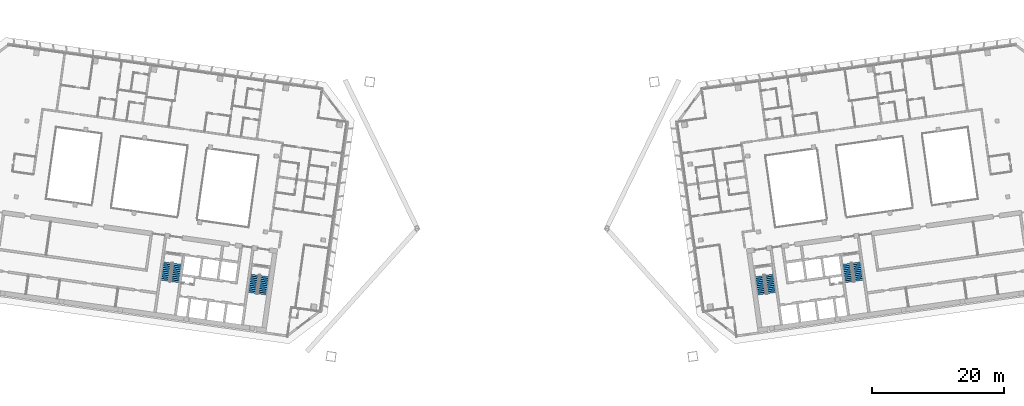
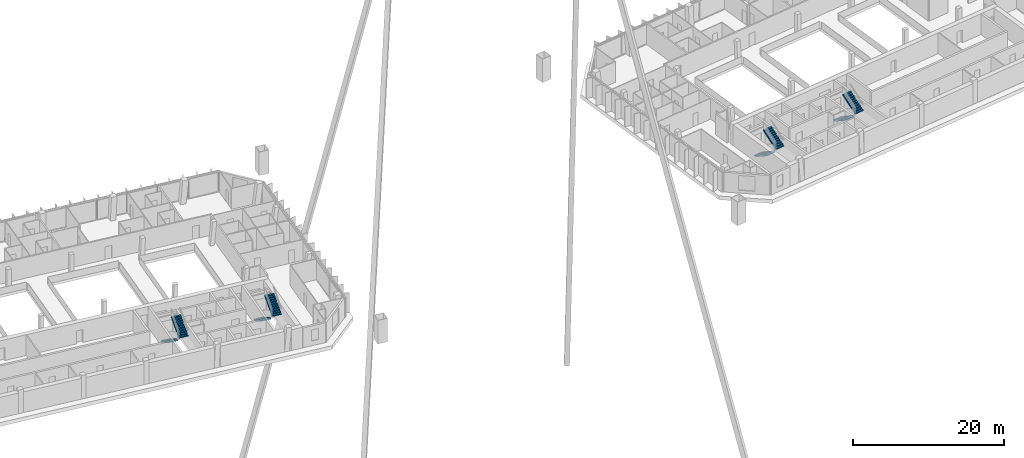
# One storey, part 24 of 26: 8 stair flights, 4 elements without a shape of their own.
"""IFC4 building model written with IfcOpenShell, lengths in metres."""

import ifcopenshell
import ifcopenshell.guid

model = None  # the IFC model being written
_history = None  # IfcOwnerHistory: only IFC2X3 demands one
_inside = {}  # id of a spatial element -> (the spatial element, [elements in it])
_under = {}  # id of a project, library or spatial element -> (it, [spatial elements below it])
_declared = {}  # id of a project -> (the project, [libraries it declares])
_typed = {}  # id of a type object -> (the type object, [elements of that type])
_made_of = {}  # id of a material, layer set ... -> (it, [elements and type objects made of it])


def new_model(schema):
    """Start an empty IFC model of exactly this schema.

    Asked for "IFC4X3", IfcOpenShell would pick the latest addendum, in which some entities
    have other attributes; the version numbers below select the first issue.
    IFC2X3 requires an IfcOwnerHistory on every rooted entity: one is made here for all.
    """
    global model, _history
    if schema == "IFC4X3":
        model = ifcopenshell.file(schema_version=(4, 3, 0, 0))
    else:
        model = ifcopenshell.file(schema=schema)
    _inside.clear()
    _under.clear()
    _declared.clear()
    _typed.clear()
    _made_of.clear()
    _history = None
    if model.schema == "IFC2X3":
        org = make("IfcOrganization", Name="unknown")
        user = make(
            "IfcPersonAndOrganization",
            ThePerson=make("IfcPerson", FamilyName="unknown"),
            TheOrganization=org,
        )
        app = make(
            "IfcApplication",
            ApplicationDeveloper=org,
            Version="unknown",
            ApplicationFullName="unknown",
            ApplicationIdentifier="unknown",
        )
        _history = make(
            "IfcOwnerHistory",
            OwningUser=user,
            OwningApplication=app,
            ChangeAction="ADDED",
            CreationDate=0,
        )
    return model


def make(cls, **values):
    """One entity of the class cls with the attributes given. An attribute that is None is left unset."""
    return model.create_entity(
        cls, **{name: value for name, value in values.items() if value is not None}
    )


def rooted(cls, **values):
    """An entity with a GlobalId (a new one), such as an element, a storey or a relation."""
    return make(cls, GlobalId=ifcopenshell.guid.new(), OwnerHistory=_history, **values)


def si_unit(unit_type, name, prefix=None):
    """IfcSIUnit, for example si_unit("LENGTHUNIT", "METRE", prefix="MILLI")."""
    return make("IfcSIUnit", UnitType=unit_type, Prefix=prefix, Name=name)


def assignment(units):
    """IfcUnitAssignment: the units of a project."""
    return None if units is None else make("IfcUnitAssignment", Units=units)


def point(xyz):
    """IfcCartesianPoint."""
    return None if xyz is None else make("IfcCartesianPoint", Coordinates=xyz)


def direction(xyz):
    """IfcDirection."""
    return None if xyz is None else make("IfcDirection", DirectionRatios=xyz)


def frame(location, z_axis=None, x_axis=None):
    """IfcAxis2Placement3D, a coordinate frame: its origin and axes. An axis left out is left unset."""
    return make(
        "IfcAxis2Placement3D",
        Location=point(location),
        Axis=direction(z_axis),
        RefDirection=direction(x_axis),
    )


def origin():
    """The frame at (0, 0, 0) with its axes left unset."""
    return frame((0.0, 0.0, 0.0))


def place(relative_to, where):
    """IfcLocalPlacement: puts the frame where relative to a parent placement (None: the world)."""
    return make(
        "IfcLocalPlacement", PlacementRelTo=relative_to, RelativePlacement=where
    )


def context(
    kind, dimensions, precision=None, world=None, true_north=None, identifier=None
):
    """IfcGeometricRepresentationContext, for example the 3D "Model" context."""
    return make(
        "IfcGeometricRepresentationContext",
        ContextIdentifier=identifier,
        ContextType=kind,
        CoordinateSpaceDimension=dimensions,
        Precision=precision,
        WorldCoordinateSystem=world,
        TrueNorth=true_north,
    )


def subcontext(parent, identifier, kind, view, scale=None):
    """IfcGeometricRepresentationSubContext, for example "Body" below "Model"."""
    return make(
        "IfcGeometricRepresentationSubContext",
        ContextIdentifier=identifier,
        ContextType=kind,
        ParentContext=parent,
        TargetScale=scale,
        TargetView=view,
    )


def project(units=None, contexts=None):
    """IfcProject with its units and contexts."""
    return rooted(
        "IfcProject",
        Name="project",
        RepresentationContexts=contexts,
        UnitsInContext=assignment(units),
    )


def spatial(cls, under=None, at=None, **own):
    """A site, building, storey or space (cls), placed at a placement, below another one or the project."""
    s = rooted(cls, ObjectPlacement=at, **own)
    if under is not None:
        _under.setdefault(under.id(), (under, []))[1].append(s)
    return s


def polyline(points):
    """IfcPolyline through the points."""
    return make("IfcPolyline", Points=[point(p) for p in points])


def outline(outer, holes=None, kind="AREA"):
    """IfcArbitraryClosedProfileDef: a profile drawn as a closed curve; with holes, ...WithVoids."""
    if holes is None:
        return make("IfcArbitraryClosedProfileDef", ProfileType=kind, OuterCurve=outer)
    return make(
        "IfcArbitraryProfileDefWithVoids",
        ProfileType=kind,
        OuterCurve=outer,
        InnerCurves=holes,
    )


def extrude(swept, where, along, depth):
    """IfcExtrudedAreaSolid: the profile swept, set in the frame where, extruded along a direction by depth."""
    return make(
        "IfcExtrudedAreaSolid",
        SweptArea=swept,
        Position=where,
        ExtrudedDirection=direction(along),
        Depth=depth,
    )


def shape(context_of_items, identifier, shape_type, items):
    """IfcShapeRepresentation: the items that make up one representation, for example the "Body"."""
    return make(
        "IfcShapeRepresentation",
        ContextOfItems=context_of_items,
        RepresentationIdentifier=identifier,
        RepresentationType=shape_type,
        Items=items,
    )


def material(Name=None, Category=None):
    """IfcMaterial."""
    return make("IfcMaterial", Name=Name, Category=Category)


def made_of(thing, what):
    """Note that an element or type object is made of a material, layer set ...; save() writes the relation."""
    if what is not None:
        _made_of.setdefault(what.id(), (what, []))[1].append(thing)
    return thing


def type_object(cls, material=None, **own):
    """A type object (cls), such as IfcWallType, which elements share."""
    return made_of(rooted(cls, **own), material)


def element(
    cls,
    number,
    at=None,
    inside=None,
    cuts=None,
    type_object=None,
    material=None,
    context=None,
    identifier="Body",
    shape_type=None,
    held_by="IfcProductDefinitionShape",
    body=None,
    shapes=None,
    **own,
):
    """One element of the class cls, such as IfcWall. Its Tag is "e" and its number.

    at: its placement. inside: the storey or other place that contains it. cuts: it is an
    opening in that element (IfcRelVoidsElement). A single representation is given by context,
    identifier, shape_type and body (its items); several are given by shapes. held_by: the class
    of the entity that holds the representations. save() writes the other relations.
    """
    e = rooted(cls, Tag="e%d" % number, ObjectPlacement=at, **own)
    if body is not None:
        shapes = [shape(context, identifier, shape_type, body)]
    if shapes is not None:
        e.Representation = make(held_by, Representations=shapes)
    if inside is not None:
        _inside.setdefault(inside.id(), (inside, []))[1].append(e)
    if cuts is not None:
        rooted(
            "IfcRelVoidsElement", RelatingBuildingElement=cuts, RelatedOpeningElement=e
        )
    if type_object is not None:
        _typed.setdefault(type_object.id(), (type_object, []))[1].append(e)
    return made_of(e, material)


def aggregate(whole, parts):
    """IfcRelAggregates: a whole, such as a stair, and the parts it consists of."""
    return rooted("IfcRelAggregates", RelatingObject=whole, RelatedObjects=parts)


def save(model, path):
    """Write the relations noted so far, then the file.

    IfcRelAggregates (storeys below a building ...), IfcRelContainedInSpatialStructure (elements
    in a storey), IfcRelDefinesByType, IfcRelAssociatesMaterial and IfcRelDeclares: one each for
    every whole, place, type object, material and project.
    """
    for whole, parts in _under.values():
        aggregate(whole, parts)
    for where, things in _inside.values():
        rooted(
            "IfcRelContainedInSpatialStructure",
            RelatedElements=things,
            RelatingStructure=where,
        )
    for kind, things in _typed.values():
        rooted("IfcRelDefinesByType", RelatedObjects=things, RelatingType=kind)
    for what, things in _made_of.values():
        rooted("IfcRelAssociatesMaterial", RelatedObjects=things, RelatingMaterial=what)
    for by, libraries in _declared.values():
        rooted("IfcRelDeclares", RelatingContext=by, RelatedDefinitions=libraries)
    model.write(path)


model = new_model("IFC4")

# Units and contexts
model_context = context("Model", 3, precision=1e-05, world=origin(), true_north=direction((0.0, 1.0)))
body_context = subcontext(model_context, "Body", "Model", "MODEL_VIEW")
ifc_project = project(units=[si_unit("LENGTHUNIT", "METRE"), si_unit("AREAUNIT", "SQUARE_METRE"), si_unit("VOLUMEUNIT", "CUBIC_METRE"), si_unit("PLANEANGLEUNIT", "RADIAN"), si_unit("MASSUNIT", "GRAM", prefix="KILO")], contexts=[model_context])

# Site, building, storey
site_placement = place(None, origin())
site = spatial("IfcSite", under=ifc_project, at=site_placement, CompositionType="ELEMENT")
building_placement = place(site_placement, origin())
building = spatial("IfcBuilding", under=site, at=building_placement, Name="Mirante Cascada Hotel Towers", CompositionType="ELEMENT")
storey_placement = place(building_placement, frame((0.0, 0.0, 203.0)))
storey = spatial("IfcBuildingStorey", under=building, at=storey_placement, Name="L48", CompositionType="ELEMENT", Elevation=203.0)

# Stair, stair flights
ifc_material_1 = material(Name="Concrete C35/45", Category="concrete")
stair_type = type_object("IfcStairType", Name="Exit stair half-turn 1350 concrete C35/45", PredefinedType="HALF_TURN_STAIR", material=ifc_material_1)
stair_1_placement = place(storey_placement, origin())
stair_1 = element("IfcStair", 1, at=stair_1_placement, inside=storey, type_object=stair_type, Name="L48 Exit stair A", PredefinedType="HALF_TURN_STAIR")
ifc_material_2 = material(Name="Concrete C35/45", Category="concrete")
stair_flight_type = type_object("IfcStairFlightType", Name="Exit stair flight 1350 concrete C35/45", PredefinedType="STRAIGHT", material=ifc_material_2)
stair_flight_1_placement = place(storey_placement, frame((-38.9417, -11.195, 0.0), z_axis=(0.0, 0.0, 1.0), x_axis=(-0.1391731, -0.9902681, 0.0)))
stair_flight_1 = element("IfcStairFlight", 2, at=stair_flight_1_placement, type_object=stair_flight_type, Name="ST1-A flight 1", NumberOfRisers=11, NumberOfTreads=10, PredefinedType="STRAIGHT", RiserHeight=0.172727273, TreadLength=0.28, context=body_context, shape_type="SweptSolid", body=[
    extrude(outline(polyline([(0.0, 0.0), (0.0, 0.1727), (0.28, 0.1727), (0.28, 0.3455), (0.56, 0.3455), (0.56, 0.5182), (0.84, 0.5182), (0.84, 0.6909), (1.12, 0.6909), (1.12, 0.8636), (1.4, 0.8636), (1.4, 1.0364), (1.68, 1.0364), (1.68, 1.2091), (1.96, 1.2091), (1.96, 1.3818), (2.24, 1.3818), (2.24, 1.5545), (2.52, 1.5545), (2.52, 1.7273), (2.8, 1.7273), (2.8, 1.9), (2.8, 1.551), (0.2857, 0.0), (0.0, 0.0)])), frame((0.0, 0.675, 0.0), z_axis=(0.0, -1.0, 0.0), x_axis=(1.0, 0.0, 0.0)), (0.0, 0.0, 1.0), 1.35),
])
stair_flight_2_placement = place(storey_placement, frame((-37.846, -14.1765, 1.9), z_axis=(0.0, 0.0, 1.0), x_axis=(0.1391731, 0.9902681, 0.0)))
stair_flight_2 = element("IfcStairFlight", 3, at=stair_flight_2_placement, type_object=stair_flight_type, Name="ST1-A flight 2", NumberOfRisers=11, NumberOfTreads=10, PredefinedType="STRAIGHT", RiserHeight=0.172727273, TreadLength=0.28, context=body_context, shape_type="SweptSolid", body=[
    extrude(outline(polyline([(0.0, 0.0), (0.0, 0.1727), (0.28, 0.1727), (0.28, 0.3455), (0.56, 0.3455), (0.56, 0.5182), (0.84, 0.5182), (0.84, 0.6909), (1.12, 0.6909), (1.12, 0.8636), (1.4, 0.8636), (1.4, 1.0364), (1.68, 1.0364), (1.68, 1.2091), (1.96, 1.2091), (1.96, 1.3818), (2.24, 1.3818), (2.24, 1.5545), (2.52, 1.5545), (2.52, 1.7273), (2.8, 1.7273), (2.8, 1.9), (2.8, 1.551), (0.2857, 0.0), (0.0, 0.0)])), frame((0.0, 0.675, 0.0), z_axis=(0.0, -1.0, 0.0), x_axis=(1.0, 0.0, 0.0)), (0.0, 0.0, 1.0), 1.35),
])
aggregate(stair_1, [stair_flight_1, stair_flight_2])

stair_2_placement = place(storey_placement, origin())
stair_2 = element("IfcStair", 4, at=stair_2_placement, inside=storey, type_object=stair_type, Name="L48 Exit stair B", PredefinedType="HALF_TURN_STAIR")
stair_flight_3_placement = place(storey_placement, frame((-52.1618, -9.3371, 0.0), z_axis=(0.0, 0.0, 1.0), x_axis=(-0.1391731, -0.9902681, 0.0)))
stair_flight_3 = element("IfcStairFlight", 5, at=stair_flight_3_placement, type_object=stair_flight_type, Name="ST1-B flight 1", NumberOfRisers=11, NumberOfTreads=10, PredefinedType="STRAIGHT", RiserHeight=0.172727273, TreadLength=0.28, context=body_context, shape_type="SweptSolid", body=[
    extrude(outline(polyline([(0.0, 0.0), (0.0, 0.1727), (0.28, 0.1727), (0.28, 0.3455), (0.56, 0.3455), (0.56, 0.5182), (0.84, 0.5182), (0.84, 0.6909), (1.12, 0.6909), (1.12, 0.8636), (1.4, 0.8636), (1.4, 1.0364), (1.68, 1.0364), (1.68, 1.2091), (1.96, 1.2091), (1.96, 1.3818), (2.24, 1.3818), (2.24, 1.5545), (2.52, 1.5545), (2.52, 1.7273), (2.8, 1.7273), (2.8, 1.9), (2.8, 1.551), (0.2857, 0.0), (0.0, 0.0)])), frame((0.0, 0.675, 0.0), z_axis=(0.0, -1.0, 0.0), x_axis=(1.0, 0.0, 0.0)), (0.0, 0.0, 1.0), 1.35),
])
stair_flight_4_placement = place(storey_placement, frame((-51.0661, -12.3186, 1.9), z_axis=(0.0, 0.0, 1.0), x_axis=(0.1391731, 0.9902681, 0.0)))
stair_flight_4 = element("IfcStairFlight", 6, at=stair_flight_4_placement, type_object=stair_flight_type, Name="ST1-B flight 2", NumberOfRisers=11, NumberOfTreads=10, PredefinedType="STRAIGHT", RiserHeight=0.172727273, TreadLength=0.28, context=body_context, shape_type="SweptSolid", body=[
    extrude(outline(polyline([(0.0, 0.0), (0.0, 0.1727), (0.28, 0.1727), (0.28, 0.3455), (0.56, 0.3455), (0.56, 0.5182), (0.84, 0.5182), (0.84, 0.6909), (1.12, 0.6909), (1.12, 0.8636), (1.4, 0.8636), (1.4, 1.0364), (1.68, 1.0364), (1.68, 1.2091), (1.96, 1.2091), (1.96, 1.3818), (2.24, 1.3818), (2.24, 1.5545), (2.52, 1.5545), (2.52, 1.7273), (2.8, 1.7273), (2.8, 1.9), (2.8, 1.551), (0.2857, 0.0), (0.0, 0.0)])), frame((0.0, 0.675, 0.0), z_axis=(0.0, -1.0, 0.0), x_axis=(1.0, 0.0, 0.0)), (0.0, 0.0, 1.0), 1.35),
])
aggregate(stair_2, [stair_flight_3, stair_flight_4])

stair_3_placement = place(storey_placement, origin())
stair_3 = element("IfcStair", 7, at=stair_3_placement, inside=storey, type_object=stair_type, Name="L48 Exit stair A", PredefinedType="HALF_TURN_STAIR")
stair_flight_5_placement = place(storey_placement, frame((37.4563, -11.4038, 0.0), z_axis=(0.0, 0.0, 1.0), x_axis=(0.1391731, -0.9902681, 0.0)))
stair_flight_5 = element("IfcStairFlight", 8, at=stair_flight_5_placement, type_object=stair_flight_type, Name="ST2-A flight 1", NumberOfRisers=11, NumberOfTreads=10, PredefinedType="STRAIGHT", RiserHeight=0.172727273, TreadLength=0.28, context=body_context, shape_type="SweptSolid", body=[
    extrude(outline(polyline([(0.0, 0.0), (0.0, 0.1727), (0.28, 0.1727), (0.28, 0.3455), (0.56, 0.3455), (0.56, 0.5182), (0.84, 0.5182), (0.84, 0.6909), (1.12, 0.6909), (1.12, 0.8636), (1.4, 0.8636), (1.4, 1.0364), (1.68, 1.0364), (1.68, 1.2091), (1.96, 1.2091), (1.96, 1.3818), (2.24, 1.3818), (2.24, 1.5545), (2.52, 1.5545), (2.52, 1.7273), (2.8, 1.7273), (2.8, 1.9), (2.8, 1.551), (0.2857, 0.0), (0.0, 0.0)])), frame((0.0, 0.675, 0.0), z_axis=(0.0, -1.0, 0.0), x_axis=(1.0, 0.0, 0.0)), (0.0, 0.0, 1.0), 1.35),
])
stair_flight_6_placement = place(storey_placement, frame((39.3314, -13.9678, 1.9), z_axis=(0.0, 0.0, 1.0), x_axis=(-0.1391731, 0.9902681, 0.0)))
stair_flight_6 = element("IfcStairFlight", 9, at=stair_flight_6_placement, type_object=stair_flight_type, Name="ST2-A flight 2", NumberOfRisers=11, NumberOfTreads=10, PredefinedType="STRAIGHT", RiserHeight=0.172727273, TreadLength=0.28, context=body_context, shape_type="SweptSolid", body=[
    extrude(outline(polyline([(0.0, 0.0), (0.0, 0.1727), (0.28, 0.1727), (0.28, 0.3455), (0.56, 0.3455), (0.56, 0.5182), (0.84, 0.5182), (0.84, 0.6909), (1.12, 0.6909), (1.12, 0.8636), (1.4, 0.8636), (1.4, 1.0364), (1.68, 1.0364), (1.68, 1.2091), (1.96, 1.2091), (1.96, 1.3818), (2.24, 1.3818), (2.24, 1.5545), (2.52, 1.5545), (2.52, 1.7273), (2.8, 1.7273), (2.8, 1.9), (2.8, 1.551), (0.2857, 0.0), (0.0, 0.0)])), frame((0.0, 0.675, 0.0), z_axis=(0.0, -1.0, 0.0), x_axis=(1.0, 0.0, 0.0)), (0.0, 0.0, 1.0), 1.35),
])
aggregate(stair_3, [stair_flight_5, stair_flight_6])

stair_4_placement = place(storey_placement, origin())
stair_4 = element("IfcStair", 10, at=stair_4_placement, inside=storey, type_object=stair_type, Name="L48 Exit stair B", PredefinedType="HALF_TURN_STAIR")
stair_flight_7_placement = place(storey_placement, frame((50.6764, -9.5458, 0.0), z_axis=(0.0, 0.0, 1.0), x_axis=(0.1391731, -0.9902681, 0.0)))
stair_flight_7 = element("IfcStairFlight", 11, at=stair_flight_7_placement, type_object=stair_flight_type, Name="ST2-B flight 1", NumberOfRisers=11, NumberOfTreads=10, PredefinedType="STRAIGHT", RiserHeight=0.172727273, TreadLength=0.28, context=body_context, shape_type="SweptSolid", body=[
    extrude(outline(polyline([(0.0, 0.0), (0.0, 0.1727), (0.28, 0.1727), (0.28, 0.3455), (0.56, 0.3455), (0.56, 0.5182), (0.84, 0.5182), (0.84, 0.6909), (1.12, 0.6909), (1.12, 0.8636), (1.4, 0.8636), (1.4, 1.0364), (1.68, 1.0364), (1.68, 1.2091), (1.96, 1.2091), (1.96, 1.3818), (2.24, 1.3818), (2.24, 1.5545), (2.52, 1.5545), (2.52, 1.7273), (2.8, 1.7273), (2.8, 1.9), (2.8, 1.551), (0.2857, 0.0), (0.0, 0.0)])), frame((0.0, 0.675, 0.0), z_axis=(0.0, -1.0, 0.0), x_axis=(1.0, 0.0, 0.0)), (0.0, 0.0, 1.0), 1.35),
])
stair_flight_8_placement = place(storey_placement, frame((52.5515, -12.1098, 1.9), z_axis=(0.0, 0.0, 1.0), x_axis=(-0.1391731, 0.9902681, 0.0)))
stair_flight_8 = element("IfcStairFlight", 12, at=stair_flight_8_placement, type_object=stair_flight_type, Name="ST2-B flight 2", NumberOfRisers=11, NumberOfTreads=10, PredefinedType="STRAIGHT", RiserHeight=0.172727273, TreadLength=0.28, context=body_context, shape_type="SweptSolid", body=[
    extrude(outline(polyline([(0.0, 0.0), (0.0, 0.1727), (0.28, 0.1727), (0.28, 0.3455), (0.56, 0.3455), (0.56, 0.5182), (0.84, 0.5182), (0.84, 0.6909), (1.12, 0.6909), (1.12, 0.8636), (1.4, 0.8636), (1.4, 1.0364), (1.68, 1.0364), (1.68, 1.2091), (1.96, 1.2091), (1.96, 1.3818), (2.24, 1.3818), (2.24, 1.5545), (2.52, 1.5545), (2.52, 1.7273), (2.8, 1.7273), (2.8, 1.9), (2.8, 1.551), (0.2857, 0.0), (0.0, 0.0)])), frame((0.0, 0.675, 0.0), z_axis=(0.0, -1.0, 0.0), x_axis=(1.0, 0.0, 0.0)), (0.0, 0.0, 1.0), 1.35),
])
aggregate(stair_4, [stair_flight_7, stair_flight_8])

save(model, "model.ifc")
